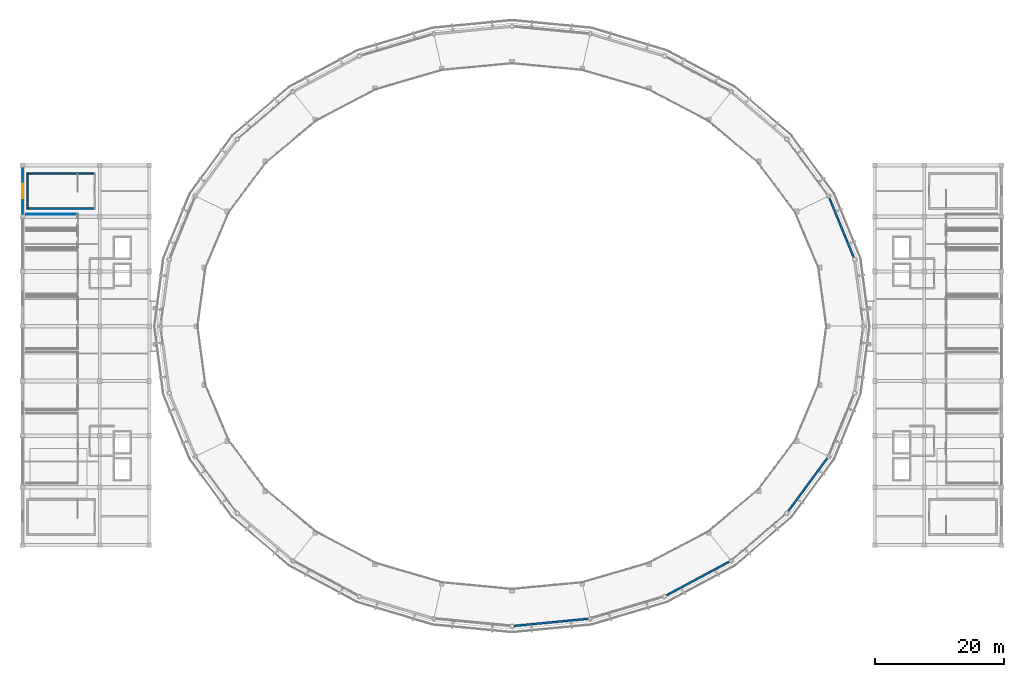
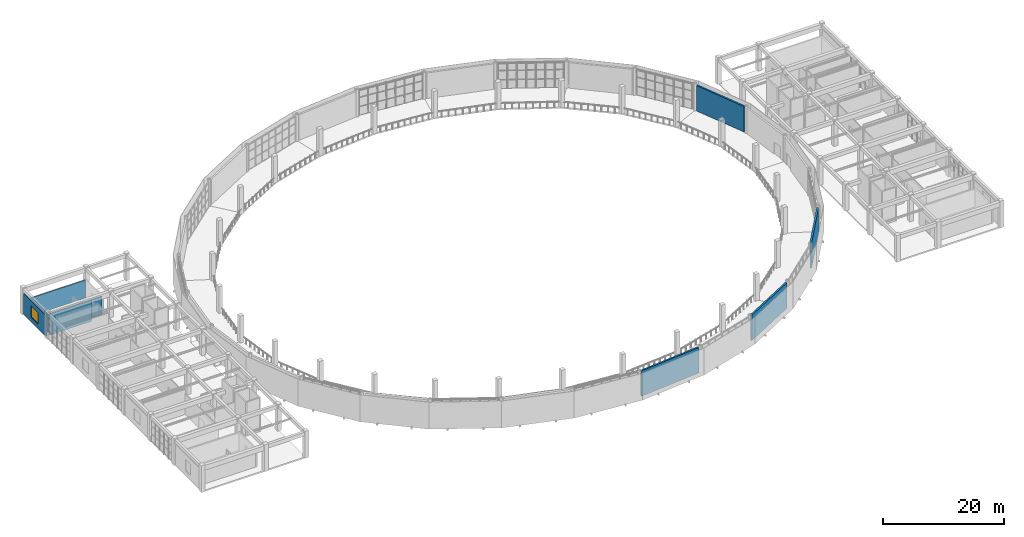
# One storey, part 32 of 40: 9 walls, 1 window, 1 opening.
"""IFC4 building model written with IfcOpenShell, lengths in metres."""

from ifc_helpers import new_model, si_unit, direction, frame, frame_2d, origin, place, context, subcontext, project, spatial, rectangle, extrude, material, layer, layer_set, type_object, element, fill, save


model = new_model("IFC4")

# Units and contexts
model_context = context("Model", 3, precision=1e-05, world=origin(), true_north=direction((0.0, 1.0)))
body_context = subcontext(model_context, "Body", "Model", "MODEL_VIEW")
ifc_project = project(units=[si_unit("LENGTHUNIT", "METRE"), si_unit("AREAUNIT", "SQUARE_METRE"), si_unit("VOLUMEUNIT", "CUBIC_METRE"), si_unit("PLANEANGLEUNIT", "RADIAN"), si_unit("MASSUNIT", "GRAM", prefix="KILO")], contexts=[model_context])

# Site, building, storey
site_placement = place(None, origin())
site = spatial("IfcSite", under=ifc_project, at=site_placement, CompositionType="ELEMENT")
building_placement = place(site_placement, origin())
building = spatial("IfcBuilding", under=site, at=building_placement, Name="Cuetzalor Civic Arena", CompositionType="ELEMENT")
storey_placement = place(building_placement, frame((0.0, 0.0, 26.39990234375)))
storey = spatial("IfcBuildingStorey", under=building, at=storey_placement, Name="L05", CompositionType="ELEMENT", Elevation=26.39990234375)

# Walls
ifc_material_1 = material(Name="Acoustic steel-stud gypsum partition", Category="steel")
ifc_layer_1 = layer(ifc_material_1, 0.14990234375)
ifc_layer_set_1 = layer_set([ifc_layer_1], Name="Acoustic steel-stud gypsum partition")
wall_type_1 = type_object("IfcWallType", Name="AcousticGypsumPartition_150", PredefinedType="PARTITIONING", material=ifc_layer_set_1)
wall_1_placement = place(storey_placement, frame((-75.39990234375, 17.39990234375, 0.0), z_axis=(0.0, 0.0, 1.0), x_axis=(1.0, 0.0, 0.0)))
element("IfcWall", 1, at=wall_1_placement, inside=storey, type_object=wall_type_1, Name="Interior Partition IWALL:L05:0556", PredefinedType="PARTITIONING", context=body_context, shape_type="SweptSolid", body=[
    extrude(rectangle(XDim=8.02001953125, YDim=0.14990234375, at=frame_2d((4.010009765625, 0.0))), origin(), (0.0, 0.0, 1.0), 4.205078125),
])
ifc_material_2 = material(Name="Concrete C40/50", Category="concrete")
ifc_layer_2 = layer(ifc_material_2, 0.25)
ifc_layer_set_2 = layer_set([ifc_layer_2], Name="Concrete C40/50")
wall_type_2 = type_object("IfcWallType", Name="ConcreteCoreShearWall_250", PredefinedType="SHEAR", material=ifc_layer_set_2)
wall_2_placement = place(storey_placement, frame((-75.22509765625, 18.14990234375, 0.0), z_axis=(0.0, 0.0, 1.0), x_axis=(0.0, 1.0, 0.0)))
element("IfcWall", 2, at=wall_2_placement, inside=storey, type_object=wall_type_2, Name="Stair Core Shear Wall ST-17-L05-W", PredefinedType="SHEAR", context=body_context, shape_type="SweptSolid", body=[
    extrude(rectangle(XDim=5.7001953125, YDim=0.25, at=frame_2d((2.85009765625, 0.0))), origin(), (0.0, 0.0, 1.0), 3.60009765625),
])
for number, where, z_axis, x_axis, name in (
    (3, (-75.10009765625, 23.72509765625, 0.0), (0.0, 0.0, 1.0), (1.0, 0.0, 0.0), "Stair Core Shear Wall ST-17-L05-N"),
    (4, (-64.89990234375, 18.27490234375, 0.0), (0.0, 0.0, 1.0), (-1.0, 0.0, 0.0), "Stair Core Shear Wall ST-17-L05-S"),
):
    element("IfcWall", number, at=place(storey_placement, frame(where, z_axis=z_axis, x_axis=x_axis)), inside=storey, type_object=wall_type_2, Name=name, PredefinedType="SHEAR", context=body_context, shape_type="SweptSolid", body=[
        extrude(rectangle(XDim=10.2001953125, YDim=0.25, at=frame_2d((5.10009765625, 0.0))), origin(), (0.0, 0.0, 1.0), 3.60009765625),
    ])
ifc_material_3 = material(Name="Precast concrete C40/50 insulated cladding", Category="concrete")
ifc_layer_3 = layer(ifc_material_3, 0.320068359375)
ifc_layer_set_3 = layer_set([ifc_layer_3], Name="Precast concrete C40/50 insulated cladding")
wall_type_3 = type_object("IfcWallType", Name="InsulatedPrecastWall_320", PredefinedType="SOLIDWALL", material=ifc_layer_set_3)
wall_3_placement = place(storey_placement, frame((49.2919921875, 19.845703125, 0.0), z_axis=(0.0, 0.0, 1.0), x_axis=(0.379382703047, -0.925239841678, 0.0)))
element("IfcWall", 5, at=wall_3_placement, inside=storey, type_object=wall_type_3, Name="Drum Acoustic Backing Wall L05-074", PredefinedType="SOLIDWALL", context=body_context, shape_type="SweptSolid", body=[
    extrude(rectangle(XDim=9.874267578125, YDim=0.320068359375, at=frame_2d((4.93701171875, 0.0))), origin(), (0.0, 0.0, 1.0), 5.135986328125),
])
wall_4_placement = place(storey_placement, frame((11.8251953125, -45.4130859375, 0.0), z_axis=(0.0, 0.0, 1.0), x_axis=(-0.995408913067, -0.095713613383, 0.0)))
element("IfcWall", 6, at=wall_4_placement, inside=storey, type_object=wall_type_3, Name="Drum Acoustic Backing Wall L05-085", PredefinedType="SOLIDWALL", context=body_context, shape_type="SweptSolid", body=[
    extrude(rectangle(XDim=11.56494140625, YDim=0.320068359375, at=frame_2d((5.782470703125, 0.0))), origin(), (0.0, 0.0, 1.0), 5.135986328125),
])
wall_5_placement = place(storey_placement, frame((33.663330078125, -36.580810546875, 0.0), z_axis=(0.0, 0.0, 1.0), x_axis=(-0.881305503949, -0.472546938102, 0.0)))
element("IfcWall", 7, at=wall_5_placement, inside=storey, type_object=wall_type_3, Name="Drum Acoustic Backing Wall L05-086", PredefinedType="SOLIDWALL", context=body_context, shape_type="SweptSolid", body=[
    extrude(rectangle(XDim=10.9462890625, YDim=0.320068359375, at=frame_2d((5.47314453125, 0.0))), origin(), (0.0, 0.0, 1.0), 5.135986328125),
])
wall_6_placement = place(storey_placement, frame((48.90576171875, -20.526123046875, 0.0), z_axis=(0.0, 0.0, 1.0), x_axis=(-0.592929724135, -0.805254209698, 0.0)))
element("IfcWall", 8, at=wall_6_placement, inside=storey, type_object=wall_type_3, Name="Drum Acoustic Backing Wall L05-087", PredefinedType="SOLIDWALL", context=body_context, shape_type="SweptSolid", body=[
    extrude(rectangle(XDim=10.14404296875, YDim=0.320068359375, at=frame_2d((5.072021484375, 0.0))), origin(), (0.0, 0.0, 1.0), 5.135986328125),
])

# Wall, opening, window
ifc_material_4 = material(Name="Insulated bronze aluminium panel wall", Category="aluminium")
ifc_layer_4 = layer(ifc_material_4, 0.260009765625)
ifc_layer_set_4 = layer_set([ifc_layer_4], Name="Insulated bronze aluminium panel wall")
wall_type_4 = type_object("IfcWallType", Name="MediaClerestoryWall_260", PredefinedType="SOLIDWALL", material=ifc_layer_set_4)
wall_7_placement = place(storey_placement, frame((-76.0, 17.35693359375, 0.0), z_axis=(0.0, 0.0, 1.0), x_axis=(0.0, 1.0, 0.0)))
wall_7 = element("IfcWall", 9, at=wall_7_placement, inside=storey, type_object=wall_type_4, Name="V4W Media Envelope Wall L05-148", PredefinedType="SOLIDWALL", context=body_context, shape_type="SweptSolid", body=[
    extrude(rectangle(XDim=7.2861328125, YDim=0.260009765625, at=frame_2d((3.64306640625, 0.0))), origin(), (0.0, 0.0, 1.0), 4.22021484375),
])
opening_placement = place(wall_7_placement, frame((2.51806640625, 0.0, 0.949951171875)))
opening = element("IfcOpeningElement", 10, at=opening_placement, cuts=wall_7, Name="Opening WN-43", PredefinedType="OPENING", context=body_context, shape_type="SweptSolid", body=[
    extrude(rectangle(XDim=2.25, YDim=2.25, at=frame_2d((1.125, 1.125))), frame((0.0, 0.14013671875, 0.0), z_axis=(0.0, -1.0, 0.0), x_axis=(1.0, 0.0, 0.0)), (0.0, 0.0, 1.0), 0.280029296875),
])
ifc_material_5 = material(Name="Anodised bronze aluminium and low-E solar glass", Category="aluminium")
window_type = type_object("IfcWindowType", Name="BronzeThermalWindow_2250x2250", PartitioningType="DOUBLE_PANEL_VERTICAL", PredefinedType="WINDOW", material=ifc_material_5)
window_placement = place(opening_placement, origin())
window = element("IfcWindow", 11, at=window_placement, inside=storey, type_object=window_type, Name="Media Studio Window L05-0043", OverallHeight=2.25, OverallWidth=2.25, PartitioningType="SINGLE_PANEL", PredefinedType="WINDOW", context=body_context, shape_type="SweptSolid", body=[
    extrude(rectangle(XDim=2.25, YDim=2.25, at=frame_2d((1.125, 1.125))), frame((0.0, 0.030029296875, 0.0), z_axis=(0.0, -1.0, 0.0), x_axis=(1.0, 0.0, 0.0)), (0.0, 0.0, 1.0), 0.06005859375),
])
fill(opening, window)

save(model, "model.ifc")
